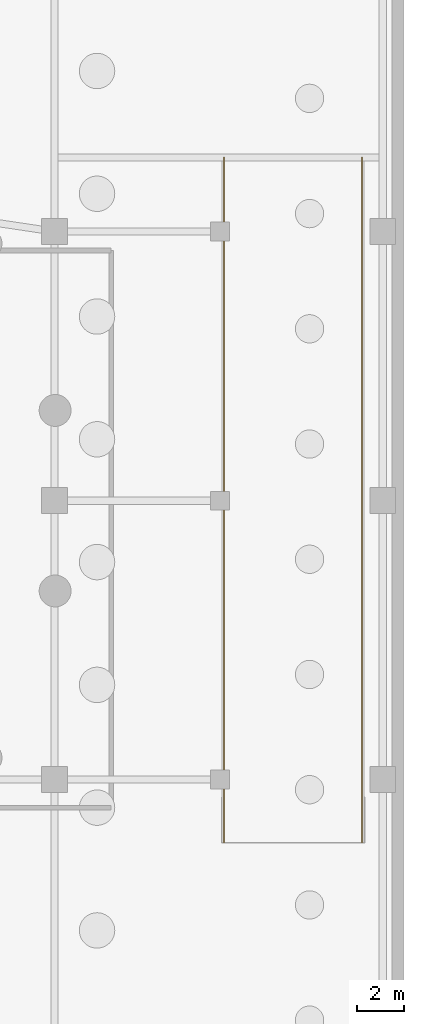
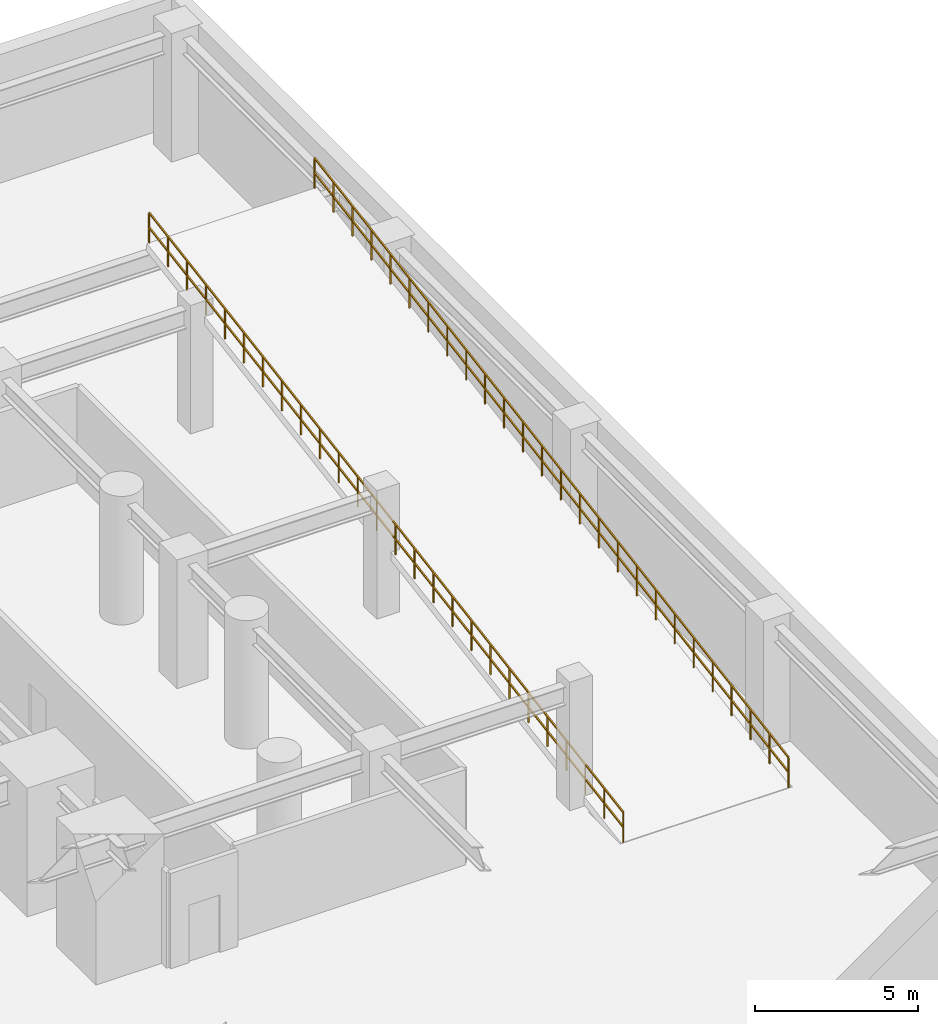
# One storey, part 7 of 8: 2 railings.
"""IFC4 building model written with IfcOpenShell, lengths in metres."""

from ifc_helpers import new_model, si_unit, direction, frame, origin, origin_2d, place, context, subcontext, project, spatial, rectangle, extrude, material, type_object, element, save


model = new_model("IFC4")

# Units and contexts
model_context = context("Model", 3, precision=1e-05, world=origin(), true_north=direction((0.0, 1.0)))
body_context = subcontext(model_context, "Body", "Model", "MODEL_VIEW")
ifc_project = project(units=[si_unit("LENGTHUNIT", "METRE"), si_unit("AREAUNIT", "SQUARE_METRE"), si_unit("VOLUMEUNIT", "CUBIC_METRE"), si_unit("PLANEANGLEUNIT", "RADIAN"), si_unit("MASSUNIT", "GRAM", prefix="KILO"), si_unit("THERMODYNAMICTEMPERATUREUNIT", "KELVIN"), si_unit("POWERUNIT", "WATT")], contexts=[model_context])

# Site, building, storey
site_placement = place(None, origin())
site = spatial("IfcSite", under=ifc_project, at=site_placement, CompositionType="ELEMENT")
building_placement = place(site_placement, origin())
building = spatial("IfcBuilding", under=site, at=building_placement, Name="Ocrelia Relay Tower", CompositionType="ELEMENT")
storey_placement = place(building_placement, frame((0.0, 0.0, -9.60009765625)))
storey = spatial("IfcBuildingStorey", under=building, at=storey_placement, Name="B2", CompositionType="ELEMENT", Elevation=-9.60009765625)

# Railings
ifc_material = material(Name="Steel S355 atrium balustrade", Category="steel")
railing_type = type_object("IfcRailingType", Name="RL-INT-GUARD-115", PredefinedType="GUARDRAIL", material=ifc_material)
railing_1_placement = place(storey_placement, frame((60.3798828125, 11.530029296875, 0.0)))
element("IfcRailing", 1, at=railing_1_placement, inside=storey, type_object=railing_type, Name="B2 Vehicle Ramp Curb Guard W", PredefinedType="GUARDRAIL", context=body_context, shape_type="SweptSolid", body=[
    extrude(rectangle(XDim=0.048095703125, YDim=0.048095703125, at=origin_2d()), frame((0.0, 0.0, 1.1259765625), z_axis=(0.0, 0.986576930502, 0.163297153073), x_axis=(-1.0, 0.0, 0.0)), (0.0, 0.0, 1.0), 29.39453125),
    extrude(rectangle(XDim=0.048095703125, YDim=0.048095703125, at=origin_2d()), frame((0.0, 0.0, 0.574951171875), z_axis=(0.0, 0.986576930502, 0.163297153073), x_axis=(-1.0, 0.0, 0.0)), (0.0, 0.0, 1.0), 29.39453125),
    extrude(rectangle(XDim=0.0419921875, YDim=0.0419921875, at=origin_2d()), origin(), (0.0, 0.0, 1.0), 1.101806640625),
    extrude(rectangle(XDim=0.0419921875, YDim=0.0419921875, at=origin_2d()), frame((0.0, 1.159912109375, 0.19189453125)), (0.0, 0.0, 1.0), 1.101806640625),
    extrude(rectangle(XDim=0.0419921875, YDim=0.0419921875, at=origin_2d()), frame((0.0, 2.320068359375, 0.384033203125)), (0.0, 0.0, 1.0), 1.101806640625),
    extrude(rectangle(XDim=0.0419921875, YDim=0.0419921875, at=origin_2d()), frame((0.0, 3.47998046875, 0.575927734375)), (0.0, 0.0, 1.0), 1.101806640625),
    extrude(rectangle(XDim=0.0419921875, YDim=0.0419921875, at=origin_2d()), frame((0.0, 4.639892578125, 0.76806640625)), (0.0, 0.0, 1.0), 1.101806640625),
    extrude(rectangle(XDim=0.0419921875, YDim=0.0419921875, at=origin_2d()), frame((0.0, 5.800048828125, 0.9599609375)), (0.0, 0.0, 1.0), 1.101806640625),
    extrude(rectangle(XDim=0.0419921875, YDim=0.0419921875, at=origin_2d()), frame((0.0, 6.9599609375, 1.152099609375)), (0.0, 0.0, 1.0), 1.101806640625),
    extrude(rectangle(XDim=0.0419921875, YDim=0.0419921875, at=origin_2d()), frame((0.0, 8.1201171875, 1.343994140625)), (0.0, 0.0, 1.0), 1.101806640625),
    extrude(rectangle(XDim=0.0419921875, YDim=0.0419921875, at=origin_2d()), frame((0.0, 9.280029296875, 1.5361328125)), (0.0, 0.0, 1.0), 1.101806640625),
    extrude(rectangle(XDim=0.0419921875, YDim=0.0419921875, at=origin_2d()), frame((0.0, 10.43994140625, 1.72802734375)), (0.0, 0.0, 1.0), 1.101806640625),
    extrude(rectangle(XDim=0.0419921875, YDim=0.0419921875, at=origin_2d()), frame((0.0, 11.60009765625, 1.919921875)), (0.0, 0.0, 1.0), 1.101806640625),
    extrude(rectangle(XDim=0.0419921875, YDim=0.0419921875, at=origin_2d()), frame((0.0, 12.760009765625, 2.112060546875)), (0.0, 0.0, 1.0), 1.101806640625),
    extrude(rectangle(XDim=0.0419921875, YDim=0.0419921875, at=origin_2d()), frame((0.0, 13.919921875, 2.303955078125)), (0.0, 0.0, 1.0), 1.101806640625),
    extrude(rectangle(XDim=0.0419921875, YDim=0.0419921875, at=origin_2d()), frame((0.0, 15.080078125, 2.49609375)), (0.0, 0.0, 1.0), 1.101806640625),
    extrude(rectangle(XDim=0.0419921875, YDim=0.0419921875, at=origin_2d()), frame((0.0, 16.239990234375, 2.68798828125)), (0.0, 0.0, 1.0), 1.101806640625),
    extrude(rectangle(XDim=0.0419921875, YDim=0.0419921875, at=origin_2d()), frame((0.0, 17.39990234375, 2.880126953125)), (0.0, 0.0, 1.0), 1.101806640625),
    extrude(rectangle(XDim=0.0419921875, YDim=0.0419921875, at=origin_2d()), frame((0.0, 18.56005859375, 3.072021484375)), (0.0, 0.0, 1.0), 1.101806640625),
    extrude(rectangle(XDim=0.0419921875, YDim=0.0419921875, at=origin_2d()), frame((0.0, 19.719970703125, 3.263916015625)), (0.0, 0.0, 1.0), 1.101806640625),
    extrude(rectangle(XDim=0.0419921875, YDim=0.0419921875, at=origin_2d()), frame((0.0, 20.8798828125, 3.4560546875)), (0.0, 0.0, 1.0), 1.101806640625),
    extrude(rectangle(XDim=0.0419921875, YDim=0.0419921875, at=origin_2d()), frame((0.0, 22.0400390625, 3.64794921875)), (0.0, 0.0, 1.0), 1.101806640625),
    extrude(rectangle(XDim=0.0419921875, YDim=0.0419921875, at=origin_2d()), frame((0.0, 23.199951171875, 3.840087890625)), (0.0, 0.0, 1.0), 1.101806640625),
    extrude(rectangle(XDim=0.0419921875, YDim=0.0419921875, at=origin_2d()), frame((0.0, 24.360107421875, 4.031982421875)), (0.0, 0.0, 1.0), 1.101806640625),
    extrude(rectangle(XDim=0.0419921875, YDim=0.0419921875, at=origin_2d()), frame((0.0, 25.52001953125, 4.22412109375)), (0.0, 0.0, 1.0), 1.101806640625),
    extrude(rectangle(XDim=0.0419921875, YDim=0.0419921875, at=origin_2d()), frame((0.0, 26.679931640625, 4.416015625)), (0.0, 0.0, 1.0), 1.101806640625),
    extrude(rectangle(XDim=0.0419921875, YDim=0.0419921875, at=origin_2d()), frame((0.0, 27.840087890625, 4.608154296875)), (0.0, 0.0, 1.0), 1.101806640625),
    extrude(rectangle(XDim=0.0419921875, YDim=0.0419921875, at=origin_2d()), frame((0.0, 29.0, 4.800048828125)), (0.0, 0.0, 1.0), 1.101806640625),
])
railing_2_placement = place(storey_placement, frame((66.219970703125, 11.530029296875, 0.0)))
element("IfcRailing", 2, at=railing_2_placement, inside=storey, type_object=railing_type, Name="B2 Vehicle Ramp Curb Guard E", PredefinedType="GUARDRAIL", context=body_context, shape_type="SweptSolid", body=[
    extrude(rectangle(XDim=0.048095703125, YDim=0.048095703125, at=origin_2d()), frame((0.0, 0.0, 1.1259765625), z_axis=(0.0, 0.986576930502, 0.163297153073), x_axis=(-1.0, 0.0, 0.0)), (0.0, 0.0, 1.0), 29.39453125),
    extrude(rectangle(XDim=0.048095703125, YDim=0.048095703125, at=origin_2d()), frame((0.0, 0.0, 0.574951171875), z_axis=(0.0, 0.986576930502, 0.163297153073), x_axis=(-1.0, 0.0, 0.0)), (0.0, 0.0, 1.0), 29.39453125),
    extrude(rectangle(XDim=0.0419921875, YDim=0.0419921875, at=origin_2d()), origin(), (0.0, 0.0, 1.0), 1.101806640625),
    extrude(rectangle(XDim=0.0419921875, YDim=0.0419921875, at=origin_2d()), frame((0.0, 1.159912109375, 0.19189453125)), (0.0, 0.0, 1.0), 1.101806640625),
    extrude(rectangle(XDim=0.0419921875, YDim=0.0419921875, at=origin_2d()), frame((0.0, 2.320068359375, 0.384033203125)), (0.0, 0.0, 1.0), 1.101806640625),
    extrude(rectangle(XDim=0.0419921875, YDim=0.0419921875, at=origin_2d()), frame((0.0, 3.47998046875, 0.575927734375)), (0.0, 0.0, 1.0), 1.101806640625),
    extrude(rectangle(XDim=0.0419921875, YDim=0.0419921875, at=origin_2d()), frame((0.0, 4.639892578125, 0.76806640625)), (0.0, 0.0, 1.0), 1.101806640625),
    extrude(rectangle(XDim=0.0419921875, YDim=0.0419921875, at=origin_2d()), frame((0.0, 5.800048828125, 0.9599609375)), (0.0, 0.0, 1.0), 1.101806640625),
    extrude(rectangle(XDim=0.0419921875, YDim=0.0419921875, at=origin_2d()), frame((0.0, 6.9599609375, 1.152099609375)), (0.0, 0.0, 1.0), 1.101806640625),
    extrude(rectangle(XDim=0.0419921875, YDim=0.0419921875, at=origin_2d()), frame((0.0, 8.1201171875, 1.343994140625)), (0.0, 0.0, 1.0), 1.101806640625),
    extrude(rectangle(XDim=0.0419921875, YDim=0.0419921875, at=origin_2d()), frame((0.0, 9.280029296875, 1.5361328125)), (0.0, 0.0, 1.0), 1.101806640625),
    extrude(rectangle(XDim=0.0419921875, YDim=0.0419921875, at=origin_2d()), frame((0.0, 10.43994140625, 1.72802734375)), (0.0, 0.0, 1.0), 1.101806640625),
    extrude(rectangle(XDim=0.0419921875, YDim=0.0419921875, at=origin_2d()), frame((0.0, 11.60009765625, 1.919921875)), (0.0, 0.0, 1.0), 1.101806640625),
    extrude(rectangle(XDim=0.0419921875, YDim=0.0419921875, at=origin_2d()), frame((0.0, 12.760009765625, 2.112060546875)), (0.0, 0.0, 1.0), 1.101806640625),
    extrude(rectangle(XDim=0.0419921875, YDim=0.0419921875, at=origin_2d()), frame((0.0, 13.919921875, 2.303955078125)), (0.0, 0.0, 1.0), 1.101806640625),
    extrude(rectangle(XDim=0.0419921875, YDim=0.0419921875, at=origin_2d()), frame((0.0, 15.080078125, 2.49609375)), (0.0, 0.0, 1.0), 1.101806640625),
    extrude(rectangle(XDim=0.0419921875, YDim=0.0419921875, at=origin_2d()), frame((0.0, 16.239990234375, 2.68798828125)), (0.0, 0.0, 1.0), 1.101806640625),
    extrude(rectangle(XDim=0.0419921875, YDim=0.0419921875, at=origin_2d()), frame((0.0, 17.39990234375, 2.880126953125)), (0.0, 0.0, 1.0), 1.101806640625),
    extrude(rectangle(XDim=0.0419921875, YDim=0.0419921875, at=origin_2d()), frame((0.0, 18.56005859375, 3.072021484375)), (0.0, 0.0, 1.0), 1.101806640625),
    extrude(rectangle(XDim=0.0419921875, YDim=0.0419921875, at=origin_2d()), frame((0.0, 19.719970703125, 3.263916015625)), (0.0, 0.0, 1.0), 1.101806640625),
    extrude(rectangle(XDim=0.0419921875, YDim=0.0419921875, at=origin_2d()), frame((0.0, 20.8798828125, 3.4560546875)), (0.0, 0.0, 1.0), 1.101806640625),
    extrude(rectangle(XDim=0.0419921875, YDim=0.0419921875, at=origin_2d()), frame((0.0, 22.0400390625, 3.64794921875)), (0.0, 0.0, 1.0), 1.101806640625),
    extrude(rectangle(XDim=0.0419921875, YDim=0.0419921875, at=origin_2d()), frame((0.0, 23.199951171875, 3.840087890625)), (0.0, 0.0, 1.0), 1.101806640625),
    extrude(rectangle(XDim=0.0419921875, YDim=0.0419921875, at=origin_2d()), frame((0.0, 24.360107421875, 4.031982421875)), (0.0, 0.0, 1.0), 1.101806640625),
    extrude(rectangle(XDim=0.0419921875, YDim=0.0419921875, at=origin_2d()), frame((0.0, 25.52001953125, 4.22412109375)), (0.0, 0.0, 1.0), 1.101806640625),
    extrude(rectangle(XDim=0.0419921875, YDim=0.0419921875, at=origin_2d()), frame((0.0, 26.679931640625, 4.416015625)), (0.0, 0.0, 1.0), 1.101806640625),
    extrude(rectangle(XDim=0.0419921875, YDim=0.0419921875, at=origin_2d()), frame((0.0, 27.840087890625, 4.608154296875)), (0.0, 0.0, 1.0), 1.101806640625),
    extrude(rectangle(XDim=0.0419921875, YDim=0.0419921875, at=origin_2d()), frame((0.0, 29.0, 4.800048828125)), (0.0, 0.0, 1.0), 1.101806640625),
])

save(model, "model.ifc")
